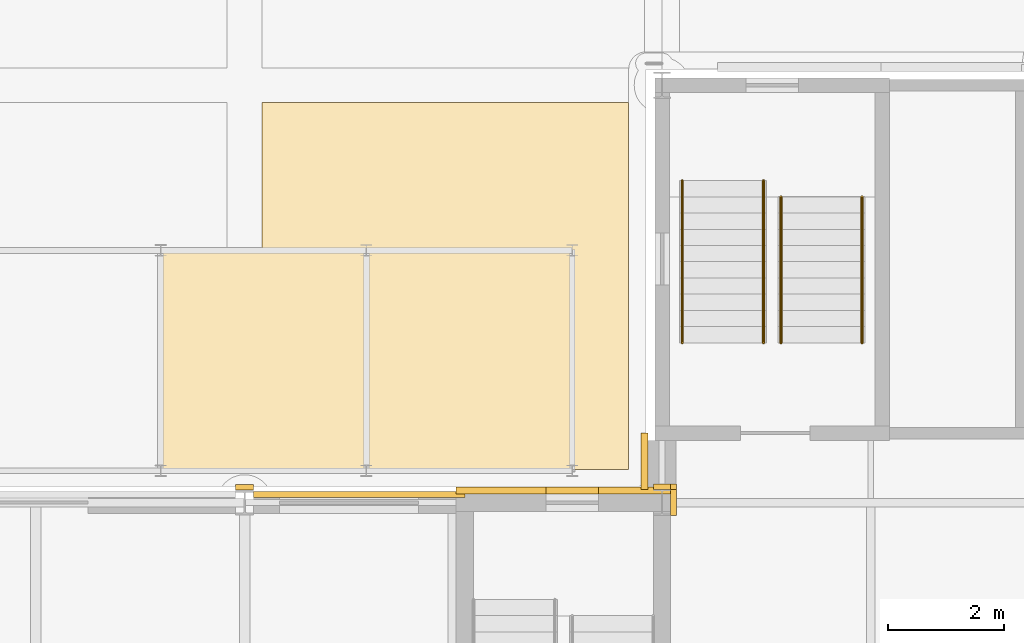
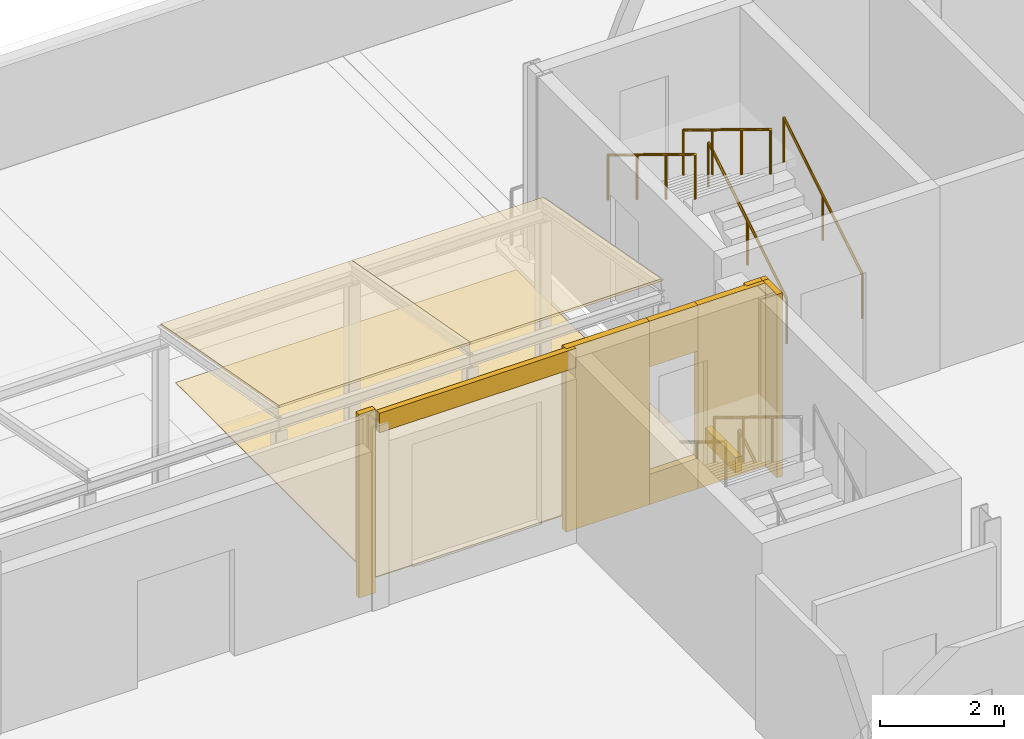
# One storey, part 128 of 143: 13 coverings, 4 railings.
"""IFC4 building model written with IfcOpenShell, lengths in metres."""

from ifc_helpers import new_model, si_unit, direction, frame, origin, origin_2d, place, context, subcontext, project, spatial, polyline, rectangle, circle, outline, extrude, material, layer, layer_set, type_object, element, save


model = new_model("IFC4")

# Units and contexts
model_context = context("Model", 3, precision=1e-05, world=origin(), true_north=direction((0.0, 1.0)))
body_context = subcontext(model_context, "Body", "Model", "MODEL_VIEW")
ifc_project = project(units=[si_unit("LENGTHUNIT", "METRE"), si_unit("AREAUNIT", "SQUARE_METRE"), si_unit("VOLUMEUNIT", "CUBIC_METRE"), si_unit("PLANEANGLEUNIT", "RADIAN"), si_unit("MASSUNIT", "GRAM", prefix="KILO")], contexts=[model_context])

# Site, building, storey
site_placement = place(None, origin())
site = spatial("IfcSite", under=ifc_project, at=site_placement, CompositionType="ELEMENT")
building_placement = place(site_placement, origin())
building = spatial("IfcBuilding", under=site, at=building_placement, Name="Kupolbacken Congress Centre", CompositionType="ELEMENT")
storey_placement = place(building_placement, frame((0.0, 0.0, 7.199951171875)))
storey = spatial("IfcBuildingStorey", under=building, at=storey_placement, Name="L02", CompositionType="ELEMENT", Elevation=7.199951171875)

# Coverings
ifc_material_1 = material(Name="Limestone cladding", Category="masonry")
ifc_layer_1 = layer(ifc_material_1, 0.1201171875)
ifc_layer_set_1 = layer_set([ifc_layer_1], Name="Limestone cladding")
covering_type_1 = type_object("IfcCoveringType", Name="CV1 limestone cladding band 120", PredefinedType="CLADDING", material=ifc_layer_set_1)
covering_1_placement = place(storey_placement, frame((136.5, 144.71240234375, 0.0), z_axis=(0.0, 0.0, 1.0), x_axis=(0.0, -1.0, 0.0)))
element("IfcCovering", 1, at=covering_1_placement, inside=storey, type_object=covering_type_1, Name="E/BF/W/L02/226/band", PredefinedType="CLADDING", context=body_context, shape_type="SweptSolid", body=[
    extrude(rectangle(XDim=0.97509765625, YDim=0.1201171875, at=origin_2d()), origin(), (0.0, 0.0, 1.0), 0.300048828125),
])
covering_2_placement = place(storey_placement, frame((131.57666015625, 144.137451171875, 3.22021484375), z_axis=(0.0, 0.0, 1.0), x_axis=(-1.0, 0.0, 0.0)))
element("IfcCovering", 2, at=covering_2_placement, inside=storey, type_object=covering_type_1, Name="E/T/N/L02/014/band", PredefinedType="CLADDING", context=body_context, shape_type="SweptSolid", body=[
    extrude(rectangle(XDim=3.646484375, YDim=0.10498046875, at=origin_2d()), origin(), (0.0, 0.0, 1.0), 0.3798828125),
])
covering_3_placement = place(storey_placement, frame((129.60009765625, 144.26611328125, 0.0), z_axis=(0.0, 0.0, 1.0), x_axis=(1.0, 0.0, 0.0)))
element("IfcCovering", 3, at=covering_3_placement, inside=storey, type_object=covering_type_1, Name="E/T/pilaster/L02/C-T-19W/N", PredefinedType="CLADDING", context=body_context, shape_type="SweptSolid", body=[
    extrude(rectangle(XDim=0.306884765625, YDim=0.10009765625, at=origin_2d()), origin(), (0.0, 0.0, 1.0), 3.60009765625),
])
covering_4_placement = place(storey_placement, frame((137.0, 144.27490234375, 0.0), z_axis=(0.0, 0.0, 1.0), x_axis=(1.0, 0.0, 0.0)))
element("IfcCovering", 4, at=covering_4_placement, inside=storey, type_object=covering_type_1, Name="E/T/pilaster/L02/C-T-20W/corner", PredefinedType="CLADDING", context=body_context, shape_type="SweptSolid", body=[
    extrude(rectangle(XDim=0.10009765625, YDim=0.10009765625, at=origin_2d()), origin(), (0.0, 0.0, 1.0), 3.60009765625),
])
covering_5_placement = place(storey_placement, frame((137.0, 144.0, 0.0), z_axis=(0.0, 0.0, 1.0), x_axis=(1.0, 0.0, 0.0)))
element("IfcCovering", 5, at=covering_5_placement, inside=storey, type_object=covering_type_1, Name="E/T/pilaster/L02/C-T-20W/E", PredefinedType="CLADDING", context=body_context, shape_type="SweptSolid", body=[
    extrude(rectangle(XDim=0.10009765625, YDim=0.449951171875, at=origin_2d()), origin(), (0.0, 0.0, 1.0), 3.60009765625),
])
covering_6_placement = place(storey_placement, frame((136.800048828125, 144.27490234375, 0.0), z_axis=(0.0, 0.0, 1.0), x_axis=(1.0, 0.0, 0.0)))
element("IfcCovering", 6, at=covering_6_placement, inside=storey, type_object=covering_type_1, Name="E/T/pilaster/L02/C-T-20W/N", PredefinedType="CLADDING", context=body_context, shape_type="SweptSolid", body=[
    extrude(rectangle(XDim=0.300048828125, YDim=0.10009765625, at=origin_2d()), origin(), (0.0, 0.0, 1.0), 3.60009765625),
])
covering_7_placement = place(storey_placement, frame((136.324951171875, 144.2099609375, 0.0), z_axis=(0.0, 0.0, 1.0), x_axis=(-1.0, 0.0, 0.0)))
element("IfcCovering", 7, at=covering_7_placement, inside=storey, type_object=covering_type_1, Name="S/core/L02/131/face0", PredefinedType="CLADDING", context=body_context, shape_type="SweptSolid", body=[
    extrude(rectangle(XDim=1.25, YDim=0.1201171875, at=origin_2d()), origin(), (0.0, 0.0, 1.0), 3.60009765625),
])
covering_8_placement = place(storey_placement, frame((134.02490234375, 144.2099609375, 0.0), z_axis=(0.0, 0.0, 1.0), x_axis=(-1.0, 0.0, 0.0)))
element("IfcCovering", 8, at=covering_8_placement, inside=storey, type_object=covering_type_1, Name="S/core/L02/131/face1", PredefinedType="CLADDING", context=body_context, shape_type="SweptSolid", body=[
    extrude(rectangle(XDim=1.550048828125, YDim=0.1201171875, at=origin_2d()), origin(), (0.0, 0.0, 1.0), 3.60009765625),
])
covering_9_placement = place(storey_placement, frame((135.25, 144.2099609375, 0.0), z_axis=(0.0, 0.0, 1.0), x_axis=(-1.0, 0.0, 0.0)))
element("IfcCovering", 9, at=covering_9_placement, inside=storey, type_object=covering_type_1, Name="S/core/L02/131/face2", PredefinedType="CLADDING", context=body_context, shape_type="SweptSolid", body=[
    extrude(rectangle(XDim=0.89990234375, YDim=0.1201171875, at=origin_2d()), origin(), (0.0, 0.0, 1.0), 0.60009765625),
])
covering_10_placement = place(storey_placement, frame((135.25, 144.2099609375, 2.7001953125), z_axis=(0.0, 0.0, 1.0), x_axis=(-1.0, 0.0, 0.0)))
element("IfcCovering", 10, at=covering_10_placement, inside=storey, type_object=covering_type_1, Name="S/core/L02/131/face3", PredefinedType="CLADDING", context=body_context, shape_type="SweptSolid", body=[
    extrude(rectangle(XDim=0.89990234375, YDim=0.1201171875, at=origin_2d()), origin(), (0.0, 0.0, 1.0), 0.89990234375),
])
ifc_material_2 = material(Name="Glass", Category="glass")
ifc_layer_2 = layer(ifc_material_2, 0.0439453125)
ifc_layer_set_2 = layer_set([ifc_layer_2], Name="Glass")
covering_type_2 = type_object("IfcCoveringType", Name="GC1 glazed canopy roof 44", PredefinedType="ROOFING", material=ifc_layer_set_2)
for number, where, z_axis, x_axis, name in (
    (11, (128.14990234375, 144.550048828125, 4.033935546875), (0.0, 0.181147956008, 0.983455854644), (1.0, 0.0, 0.0), "Covered passage glass"),
    (12, (131.699951171875, 144.550048828125, 4.033935546875), (0.0, 0.181147956008, 0.983455854644), (1.0, 0.0, 0.0), "Covered passage glass"),
):
    element("IfcCovering", number, at=place(storey_placement, frame(where, z_axis=z_axis, x_axis=x_axis)), inside=storey, type_object=covering_type_2, Name=name, PredefinedType="ROOFING", context=body_context, shape_type="SweptSolid", body=[
        extrude(outline(polyline([(0.0, 0.0), (3.550048828125, 0.0), (3.550048828125, 3.863974992044251), (0.0, 3.863974992044251), (0.0, 0.0)])), origin(), (0.0, 0.0, -1.0), 0.0439453125),
    ])
ifc_material_3 = material(Name="Limestone cladding", Category="masonry")
ifc_layer_3 = layer(ifc_material_3, 0.02001953125)
ifc_layer_set_3 = layer_set([ifc_layer_3], Name="Limestone cladding")
covering_type_3 = type_object("IfcCoveringType", Name="GF1 limestone paving 20", PredefinedType="FLOORING", material=ifc_layer_set_3)
covering_11_placement = place(storey_placement, origin())
element("IfcCovering", 13, at=covering_11_placement, inside=storey, type_object=covering_type_3, Name="Arrival deck limestone paving", PredefinedType="FLOORING", context=body_context, shape_type="SweptSolid", body=[
    extrude(outline(polyline([(136.22509765625, 144.574951171875), (129.89990234375, 144.574951171875), (129.89990234375, 150.89990234375), (136.22509765625, 150.89990234375), (136.22509765625, 144.574951171875)])), origin(), (0.0, 0.0, 1.0), 0.02001953125),
])

# Railings
ifc_material_4 = material(Name="Steel S235", Category="steel")
railing_type = type_object("IfcRailingType", Name="RL3 handrail wall-mounted 900", PredefinedType="HANDRAIL", material=ifc_material_4)
for number, where, name in (
    (14, (138.85009765625, 146.7548828125, 0.17138671875), "C/stair/BS2/L02/HR1L"),
    (15, (140.25, 146.7548828125, 0.17138671875), "C/stair/BS2/L02/HR1R"),
):
    element("IfcRailing", number, at=place(storey_placement, frame(where)), inside=storey, type_object=railing_type, Name=name, PredefinedType="HANDRAIL", context=body_context, shape_type="SweptSolid", body=[
        extrude(circle(Radius=0.02392578125, at=origin_2d()), frame((0.0, 0.0, 0.8759765625), z_axis=(0.0, 0.852836285881, 0.522178388565), x_axis=(-1.0, 0.0, 0.0)), (0.0, 0.0, 1.0), 2.954833984375),
        extrude(circle(Radius=0.02099609375, at=origin_2d()), origin(), (0.0, 0.0, 1.0), 0.851806640625),
        extrude(circle(Radius=0.02099609375, at=origin_2d()), frame((0.0, 1.260009765625, 0.771484375)), (0.0, 0.0, 1.0), 0.851806640625),
        extrude(circle(Radius=0.02099609375, at=origin_2d()), frame((0.0, 2.52001953125, 1.54296875)), (0.0, 0.0, 1.0), 0.851806640625),
    ])
for number, where, name in (
    (16, (138.550048828125, 149.554931640625, 1.8857421875), "C/stair/BS2/L02/HR2L"),
    (17, (137.14990234375, 149.554931640625, 1.8857421875), "C/stair/BS2/L02/HR2R"),
):
    element("IfcRailing", number, at=place(storey_placement, frame(where)), inside=storey, type_object=railing_type, Name=name, PredefinedType="HANDRAIL", context=body_context, shape_type="SweptSolid", body=[
        extrude(circle(Radius=0.02392578125, at=origin_2d()), frame((0.0, 0.0, 0.8759765625), z_axis=(0.0, -0.852845897599, 0.522162690116), x_axis=(1.0, 0.0, 0.0)), (0.0, 0.0, 1.0), 3.283203125),
        extrude(circle(Radius=0.02099609375, at=origin_2d()), origin(), (0.0, 0.0, 1.0), 0.851806640625),
        extrude(circle(Radius=0.02099609375, at=origin_2d()), frame((0.0, -0.933349609375, 0.571533203125)), (0.0, 0.0, 1.0), 0.851806640625),
        extrude(circle(Radius=0.02099609375, at=origin_2d()), frame((0.0, -1.86669921875, 1.142822265625)), (0.0, 0.0, 1.0), 0.851806640625),
        extrude(circle(Radius=0.02099609375, at=origin_2d()), frame((0.0, -2.800048828125, 1.71435546875)), (0.0, 0.0, 1.0), 0.851806640625),
    ])

save(model, "model.ifc")
